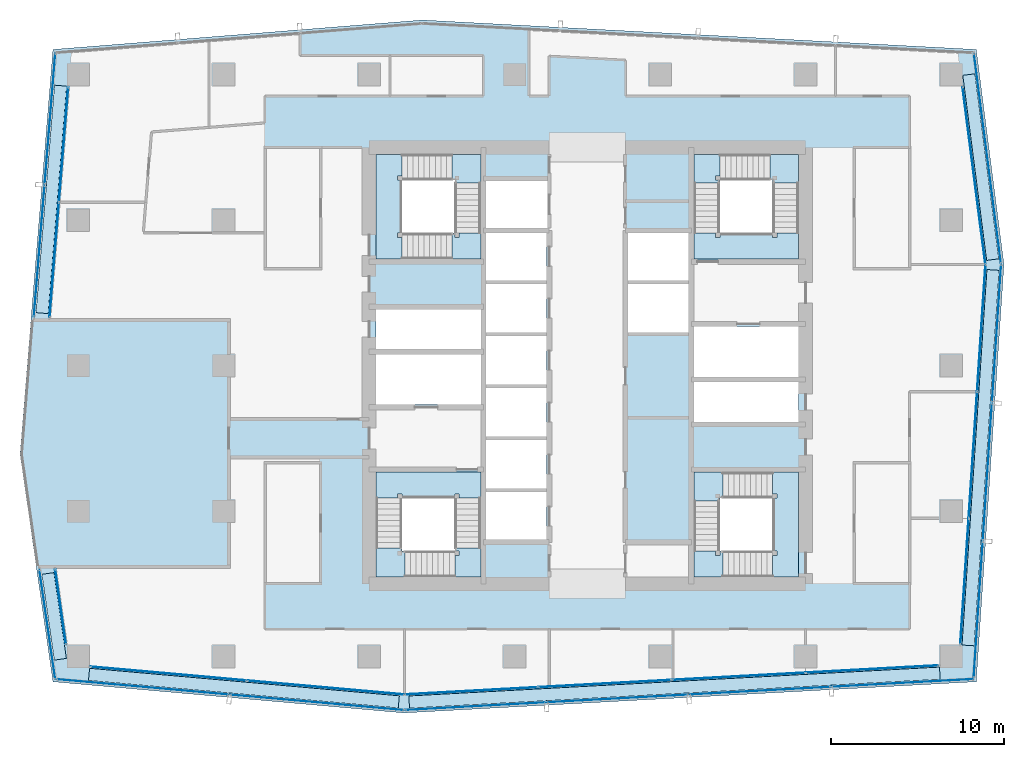
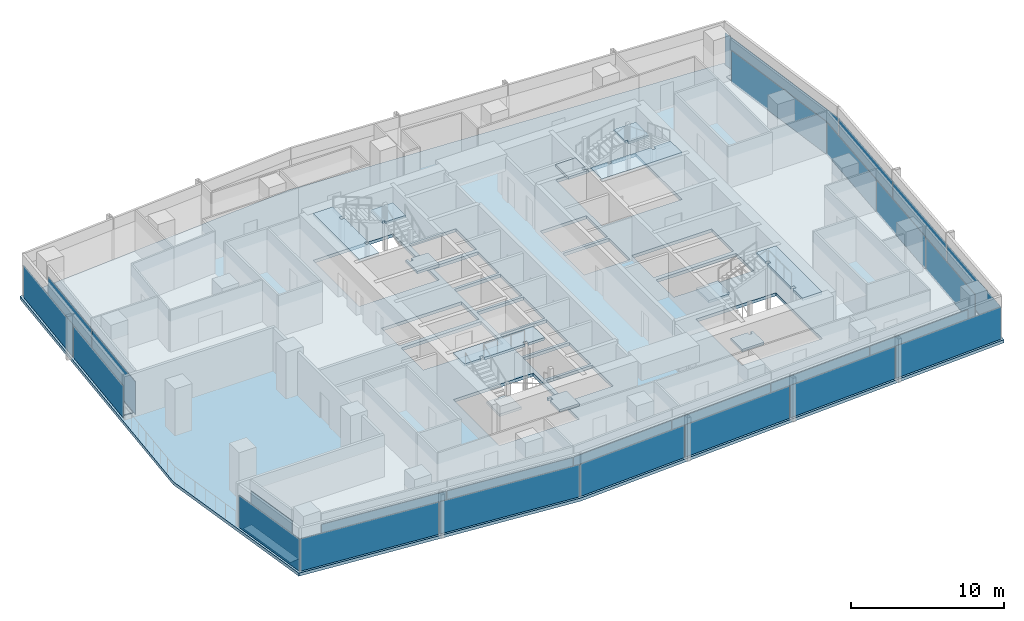
# One storey, part 19 of 28: 32 plates, 13 slabs, 16 elements without a shape of their own.
"""IFC4 building model written with IfcOpenShell, lengths in metres."""

from ifc_helpers import new_model, si_unit, direction, frame, origin, origin_2d, place, context, subcontext, project, spatial, polyline, rectangle, outline, extrude, material, layer, layer_set, type_object, element, aggregate, save


model = new_model("IFC4")

# Units and contexts
model_context = context("Model", 3, precision=1e-05, world=origin(), true_north=direction((0.0, 1.0)))
body_context = subcontext(model_context, "Body", "Model", "MODEL_VIEW")
ifc_project = project(units=[si_unit("LENGTHUNIT", "METRE"), si_unit("AREAUNIT", "SQUARE_METRE"), si_unit("VOLUMEUNIT", "CUBIC_METRE"), si_unit("PLANEANGLEUNIT", "RADIAN"), si_unit("MASSUNIT", "GRAM", prefix="KILO")], contexts=[model_context])

# Site, building, storey
site_placement = place(None, origin())
site = spatial("IfcSite", under=ifc_project, at=site_placement, CompositionType="ELEMENT")
building_placement = place(site_placement, origin())
building = spatial("IfcBuilding", under=site, at=building_placement, Name="Rekha Terrace Tower", CompositionType="ELEMENT")
storey_placement = place(building_placement, frame((0.0, 0.0, 268.85009765625)))
storey = spatial("IfcBuildingStorey", under=building, at=storey_placement, Name="L68", CompositionType="ELEMENT", Elevation=268.85009765625)

# Curtain wall, plates
ifc_material_1 = material(Name="Aluminium framing", Category="aluminium")
curtain_wall_type_1 = type_object("IfcCurtainWallType", Name="CW1 double skin inner glazing", PredefinedType="USERDEFINED", material=ifc_material_1)
curtain_wall_1_placement = place(storey_placement, origin())
curtain_wall_1 = element("IfcCurtainWall", 1, at=curtain_wall_1_placement, inside=storey, type_object=curtain_wall_type_1, Name="CW1 double skin inner glazing", ObjectType="DOUBLE SKIN INNER GLAZING", PredefinedType="USERDEFINED")
ifc_material_2 = material(Name="Double-glazed low-e unit 32", Category="glass")
ifc_layer_1 = layer(ifc_material_2, 0.031982421875)
ifc_layer_set_1 = layer_set([ifc_layer_1], Name="Double-glazed low-e unit 32")
plate_type_1 = type_object("IfcPlateType", Name="CW1 jumbo vision panel, double-glazed low-e unit 32", PredefinedType="CURTAIN_PANEL", material=ifc_layer_set_1)
plate_1_placement = place(storey_placement, frame((13.62939453125, 15.820556640625, -0.000244140625), z_axis=(0.0, 0.0, 1.0), x_axis=(0.996074182663, -0.088522441405, 0.0)))
plate_1 = element("IfcPlate", 2, at=plate_1_placement, type_object=plate_type_1, Name="CW1 panel 1.1", PredefinedType="CURTAIN_PANEL", context=body_context, shape_type="SweptSolid", body=[
    extrude(rectangle(XDim=9.010986328125, YDim=0.031982421875, at=origin_2d()), origin(), (0.0, 0.0, 1.0), 2.60009765625),
])
plate_2_placement = place(storey_placement, frame((22.701904296875, 15.01416015625, -0.000244140625), z_axis=(0.0, 0.0, 1.0), x_axis=(0.996074182663, -0.088522441405, 0.0)))
plate_2 = element("IfcPlate", 3, at=plate_2_placement, type_object=plate_type_1, Name="CW1 panel 2.1", PredefinedType="CURTAIN_PANEL", context=body_context, shape_type="SweptSolid", body=[
    extrude(rectangle(XDim=9.075927734375, YDim=0.031982421875, at=origin_2d()), origin(), (0.0, 0.0, 1.0), 2.60009765625),
])
aggregate(curtain_wall_1, [plate_1, plate_2])

curtain_wall_2_placement = place(storey_placement, origin())
curtain_wall_2 = element("IfcCurtainWall", 4, at=curtain_wall_2_placement, inside=storey, type_object=curtain_wall_type_1, Name="CW1 double skin inner glazing", ObjectType="DOUBLE SKIN INNER GLAZING", PredefinedType="USERDEFINED")
plate_3_placement = place(storey_placement, frame((31.101318359375, 14.82373046875, -0.000244140625), z_axis=(0.0, 0.0, 1.0), x_axis=(0.998519828159, 0.054388903036, 0.0)))
plate_3 = element("IfcPlate", 5, at=plate_3_placement, type_object=plate_type_1, Name="CW1 panel 1.1", PredefinedType="CURTAIN_PANEL", context=body_context, shape_type="SweptSolid", body=[
    extrude(rectangle(XDim=7.6396484375, YDim=0.031982421875, at=origin_2d()), origin(), (0.0, 0.0, 1.0), 2.60009765625),
])
plate_4_placement = place(storey_placement, frame((38.810791015625, 15.243896484375, -0.000244140625), z_axis=(0.0, 0.0, 1.0), x_axis=(0.998519828159, 0.054388903036, 0.0)))
plate_4 = element("IfcPlate", 6, at=plate_4_placement, type_object=plate_type_1, Name="CW1 panel 2.1", PredefinedType="CURTAIN_PANEL", context=body_context, shape_type="SweptSolid", body=[
    extrude(rectangle(XDim=7.672119140625, YDim=0.031982421875, at=origin_2d()), origin(), (0.0, 0.0, 1.0), 2.60009765625),
])
plate_5_placement = place(storey_placement, frame((46.536376953125, 15.66455078125, -0.000244140625), z_axis=(0.0, 0.0, 1.0), x_axis=(0.998519828159, 0.054388903036, 0.0)))
plate_5 = element("IfcPlate", 7, at=plate_5_placement, type_object=plate_type_1, Name="CW1 panel 3.1", PredefinedType="CURTAIN_PANEL", context=body_context, shape_type="SweptSolid", body=[
    extrude(rectangle(XDim=7.672119140625, YDim=0.031982421875, at=origin_2d()), origin(), (0.0, 0.0, 1.0), 2.60009765625),
])
plate_6_placement = place(storey_placement, frame((54.245849609375, 16.08447265625, -0.000244140625), z_axis=(0.0, 0.0, 1.0), x_axis=(0.998519828159, 0.054388903036, 0.0)))
plate_6 = element("IfcPlate", 8, at=plate_6_placement, type_object=plate_type_1, Name="CW1 panel 4.1", PredefinedType="CURTAIN_PANEL", context=body_context, shape_type="SweptSolid", body=[
    extrude(rectangle(XDim=7.6396484375, YDim=0.031982421875, at=origin_2d()), origin(), (0.0, 0.0, 1.0), 2.60009765625),
])
aggregate(curtain_wall_2, [plate_3, plate_4, plate_5, plate_6])

curtain_wall_3_placement = place(storey_placement, origin())
curtain_wall_3 = element("IfcCurtainWall", 9, at=curtain_wall_3_placement, inside=storey, type_object=curtain_wall_type_1, Name="CW1 double skin inner glazing", ObjectType="DOUBLE SKIN INNER GLAZING", PredefinedType="USERDEFINED")
plate_7_placement = place(storey_placement, frame((59.57275390625, 21.147705078125, -0.000244140625), z_axis=(0.0, 0.0, 1.0), x_axis=(0.066271589649, 0.997801621769, 0.0)))
plate_7 = element("IfcPlate", 10, at=plate_7_placement, type_object=plate_type_1, Name="CW1 panel 1.1", PredefinedType="CURTAIN_PANEL", context=body_context, shape_type="SweptSolid", body=[
    extrude(rectangle(XDim=7.228759765625, YDim=0.031982421875, at=origin_2d()), origin(), (0.0, 0.0, 1.0), 2.60009765625),
])
plate_8_placement = place(storey_placement, frame((60.05712890625, 28.441650390625, -0.000244140625), z_axis=(0.0, 0.0, 1.0), x_axis=(0.066271589649, 0.997801621769, 0.0)))
plate_8 = element("IfcPlate", 11, at=plate_8_placement, type_object=plate_type_1, Name="CW1 panel 2.1", PredefinedType="CURTAIN_PANEL", context=body_context, shape_type="SweptSolid", body=[
    extrude(rectangle(XDim=7.261474609375, YDim=0.031982421875, at=origin_2d()), origin(), (0.0, 0.0, 1.0), 2.60009765625),
])
plate_9_placement = place(storey_placement, frame((60.543701171875, 35.76806640625, -0.000244140625), z_axis=(0.0, 0.0, 1.0), x_axis=(0.066271589649, 0.997801621769, 0.0)))
plate_9 = element("IfcPlate", 12, at=plate_9_placement, type_object=plate_type_1, Name="CW1 panel 3.1", PredefinedType="CURTAIN_PANEL", context=body_context, shape_type="SweptSolid", body=[
    extrude(rectangle(XDim=7.2939453125, YDim=0.031982421875, at=origin_2d()), origin(), (0.0, 0.0, 1.0), 2.60009765625),
])
aggregate(curtain_wall_3, [plate_7, plate_8, plate_9])

# Curtain wall, plate
curtain_wall_4_placement = place(storey_placement, origin())
curtain_wall_4 = element("IfcCurtainWall", 13, at=curtain_wall_4_placement, inside=storey, type_object=curtain_wall_type_1, Name="CW1 double skin inner glazing", ObjectType="DOUBLE SKIN INNER GLAZING", PredefinedType="USERDEFINED")
plate_10_placement = place(storey_placement, frame((60.119873046875, 44.56884765625, -0.000244140625), z_axis=(0.0, 0.0, 1.0), x_axis=(-0.127869904766, 0.991790949472, 0.0)))
plate_10 = element("IfcPlate", 14, at=plate_10_placement, type_object=plate_type_1, Name="CW1 panel 1.1", PredefinedType="CURTAIN_PANEL", context=body_context, shape_type="SweptSolid", body=[
    extrude(rectangle(XDim=10.27880859375, YDim=0.031982421875, at=origin_2d()), origin(), (0.0, 0.0, 1.0), 2.60009765625),
])
aggregate(curtain_wall_4, [plate_10])

# Curtain wall, plates
curtain_wall_5_placement = place(storey_placement, origin())
curtain_wall_5 = element("IfcCurtainWall", 15, at=curtain_wall_5_placement, inside=storey, type_object=curtain_wall_type_1, Name="CW1 double skin inner glazing", ObjectType="DOUBLE SKIN INNER GLAZING", PredefinedType="USERDEFINED")
plate_11_placement = place(storey_placement, frame((7.56689453125, 46.358154296875, -0.000244140625), z_axis=(0.0, 0.0, 1.0), x_axis=(-0.081067906781, -0.996708580524, 0.0)))
plate_11 = element("IfcPlate", 16, at=plate_11_placement, type_object=plate_type_1, Name="CW1 panel 1.1", PredefinedType="CURTAIN_PANEL", context=body_context, shape_type="SweptSolid", body=[
    extrude(rectangle(XDim=6.620849609375, YDim=0.031982421875, at=origin_2d()), origin(), (0.0, 0.0, 1.0), 2.60009765625),
])
plate_12_placement = place(storey_placement, frame((7.02490234375, 39.6943359375, -0.000244140625), z_axis=(0.0, 0.0, 1.0), x_axis=(-0.081067906781, -0.996708580524, 0.0)))
plate_12 = element("IfcPlate", 17, at=plate_12_placement, type_object=plate_type_1, Name="CW1 panel 2.1", PredefinedType="CURTAIN_PANEL", context=body_context, shape_type="SweptSolid", body=[
    extrude(rectangle(XDim=6.620849609375, YDim=0.031982421875, at=origin_2d()), origin(), (0.0, 0.0, 1.0), 2.60009765625),
])
aggregate(curtain_wall_5, [plate_11, plate_12])

# Curtain wall, plate
curtain_wall_6_placement = place(storey_placement, origin())
curtain_wall_6 = element("IfcCurtainWall", 18, at=curtain_wall_6_placement, inside=storey, type_object=curtain_wall_type_1, Name="CW1 double skin inner glazing", ObjectType="DOUBLE SKIN INNER GLAZING", PredefinedType="USERDEFINED")
plate_13_placement = place(storey_placement, frame((7.394775390625, 19.68115234375, -0.000244140625), z_axis=(0.0, 0.0, 1.0), x_axis=(0.143108322609, -0.989707031399, 0.0)))
plate_13 = element("IfcPlate", 19, at=plate_13_placement, type_object=plate_type_1, Name="CW1 panel 1.1", PredefinedType="CURTAIN_PANEL", context=body_context, shape_type="SweptSolid", body=[
    extrude(rectangle(XDim=4.347900390625, YDim=0.031982421875, at=origin_2d()), origin(), (0.0, 0.0, 1.0), 2.60009765625),
])
aggregate(curtain_wall_6, [plate_13])

# Curtain wall, plates
curtain_wall_type_2 = type_object("IfcCurtainWallType", Name="CW2 double skin outer glazing", PredefinedType="USERDEFINED", material=ifc_material_1)
curtain_wall_7_placement = place(storey_placement, origin())
curtain_wall_7 = element("IfcCurtainWall", 20, at=curtain_wall_7_placement, inside=storey, type_object=curtain_wall_type_2, Name="CW2 double skin outer glazing", ObjectType="DOUBLE SKIN OUTER GLAZING", PredefinedType="USERDEFINED")
ifc_material_3 = material(Name="Toughened single glazing 12", Category="glass")
ifc_layer_2 = layer(ifc_material_3, 0.011962890625)
ifc_layer_set_2 = layer_set([ifc_layer_2], Name="Toughened single glazing 12")
plate_type_2 = type_object("IfcPlateType", Name="CW2 jumbo vision panel, toughened single glazing 12", PredefinedType="CURTAIN_PANEL", material=ifc_layer_set_2)
plate_14_placement = place(storey_placement, frame((12.139404296875, 15.049560546875, -0.000244140625), z_axis=(0.0, 0.0, 1.0), x_axis=(0.996074182658, -0.088522441457, 0.0)))
plate_14 = element("IfcPlate", 21, at=plate_14_placement, type_object=plate_type_2, Name="CW2 panel 1.1", PredefinedType="CURTAIN_PANEL", context=body_context, shape_type="SweptSolid", body=[
    extrude(rectangle(XDim=9.977783203125, YDim=0.011962890625, at=origin_2d()), origin(), (0.0, 0.0, 1.0), 2.60009765625),
])
plate_15_placement = place(storey_placement, frame((22.197509765625, 14.155517578125, -0.000244140625), z_axis=(0.0, 0.0, 1.0), x_axis=(0.996074182658, -0.088522441457, 0.0)))
plate_15 = element("IfcPlate", 22, at=plate_15_placement, type_object=plate_type_2, Name="CW2 panel 2.1", PredefinedType="CURTAIN_PANEL", context=body_context, shape_type="SweptSolid", body=[
    extrude(rectangle(XDim=10.057861328125, YDim=0.011962890625, at=origin_2d()), origin(), (0.0, 0.0, 1.0), 2.60009765625),
])
aggregate(curtain_wall_7, [plate_14, plate_15])

curtain_wall_8_placement = place(storey_placement, origin())
curtain_wall_8 = element("IfcCurtainWall", 23, at=curtain_wall_8_placement, inside=storey, type_object=curtain_wall_type_2, Name="CW2 double skin outer glazing", ObjectType="DOUBLE SKIN OUTER GLAZING", PredefinedType="USERDEFINED")
plate_16_placement = place(storey_placement, frame((31.33837890625, 13.935546875, -0.000244140625), z_axis=(0.0, 0.0, 1.0), x_axis=(0.998519828157, 0.054388903071, 0.0)))
plate_16 = element("IfcPlate", 24, at=plate_16_placement, type_object=plate_type_2, Name="CW2 panel 1.1", PredefinedType="CURTAIN_PANEL", context=body_context, shape_type="SweptSolid", body=[
    extrude(rectangle(XDim=8.115478515625, YDim=0.011962890625, at=origin_2d()), origin(), (0.0, 0.0, 1.0), 2.60009765625),
])
plate_17_placement = place(storey_placement, frame((39.54150390625, 14.38232421875, -0.000244140625), z_axis=(0.0, 0.0, 1.0), x_axis=(0.998519828157, 0.054388903071, 0.0)))
plate_17 = element("IfcPlate", 25, at=plate_17_placement, type_object=plate_type_2, Name="CW2 panel 2.1", PredefinedType="CURTAIN_PANEL", context=body_context, shape_type="SweptSolid", body=[
    extrude(rectangle(XDim=8.155517578125, YDim=0.011962890625, at=origin_2d()), origin(), (0.0, 0.0, 1.0), 2.60009765625),
])
plate_18_placement = place(storey_placement, frame((47.764892578125, 14.830078125, -0.000244140625), z_axis=(0.0, 0.0, 1.0), x_axis=(0.998519828157, 0.054388903071, 0.0)))
plate_18 = element("IfcPlate", 26, at=plate_18_placement, type_object=plate_type_2, Name="CW2 panel 3.1", PredefinedType="CURTAIN_PANEL", context=body_context, shape_type="SweptSolid", body=[
    extrude(rectangle(XDim=8.155517578125, YDim=0.011962890625, at=origin_2d()), origin(), (0.0, 0.0, 1.0), 2.60009765625),
])
plate_19_placement = place(storey_placement, frame((56.008056640625, 15.279296875, -0.000244140625), z_axis=(0.0, 0.0, 1.0), x_axis=(0.998519828157, 0.054388903071, 0.0)))
plate_19 = element("IfcPlate", 27, at=plate_19_placement, type_object=plate_type_2, Name="CW2 panel 4.1", PredefinedType="CURTAIN_PANEL", context=body_context, shape_type="SweptSolid", body=[
    extrude(rectangle(XDim=8.195556640625, YDim=0.011962890625, at=origin_2d()), origin(), (0.0, 0.0, 1.0), 2.60009765625),
])
aggregate(curtain_wall_8, [plate_16, plate_17, plate_18, plate_19])

curtain_wall_9_placement = place(storey_placement, origin())
curtain_wall_9 = element("IfcCurtainWall", 28, at=curtain_wall_9_placement, inside=storey, type_object=curtain_wall_type_2, Name="CW2 double skin outer glazing", ObjectType="DOUBLE SKIN OUTER GLAZING", PredefinedType="USERDEFINED")
plate_20_placement = place(storey_placement, frame((60.365966796875, 19.5107421875, -0.000244140625), z_axis=(0.0, 0.0, 1.0), x_axis=(0.066271589649, 0.997801621769, 0.0)))
plate_20 = element("IfcPlate", 29, at=plate_20_placement, type_object=plate_type_2, Name="CW2 panel 1.1", PredefinedType="CURTAIN_PANEL", context=body_context, shape_type="SweptSolid", body=[
    extrude(rectangle(XDim=7.875244140625, YDim=0.011962890625, at=origin_2d()), origin(), (0.0, 0.0, 1.0), 2.60009765625),
])
plate_21_placement = place(storey_placement, frame((60.89453125, 27.468505859375, -0.000244140625), z_axis=(0.0, 0.0, 1.0), x_axis=(0.066271589649, 0.997801621769, 0.0)))
plate_21 = element("IfcPlate", 30, at=plate_21_placement, type_object=plate_type_2, Name="CW2 panel 2.1", PredefinedType="CURTAIN_PANEL", context=body_context, shape_type="SweptSolid", body=[
    extrude(rectangle(XDim=7.915283203125, YDim=0.011962890625, at=origin_2d()), origin(), (0.0, 0.0, 1.0), 2.60009765625),
])
plate_22_placement = place(storey_placement, frame((61.42578125, 35.466064453125, -0.000244140625), z_axis=(0.0, 0.0, 1.0), x_axis=(0.066271589649, 0.997801621769, 0.0)))
plate_22 = element("IfcPlate", 31, at=plate_22_placement, type_object=plate_type_2, Name="CW2 panel 3.1", PredefinedType="CURTAIN_PANEL", context=body_context, shape_type="SweptSolid", body=[
    extrude(rectangle(XDim=7.955322265625, YDim=0.011962890625, at=origin_2d()), origin(), (0.0, 0.0, 1.0), 2.60009765625),
])
aggregate(curtain_wall_9, [plate_20, plate_21, plate_22])

# Curtain wall, plate
curtain_wall_10_placement = place(storey_placement, origin())
curtain_wall_10 = element("IfcCurtainWall", 32, at=curtain_wall_10_placement, inside=storey, type_object=curtain_wall_type_2, Name="CW2 double skin outer glazing", ObjectType="DOUBLE SKIN OUTER GLAZING", PredefinedType="USERDEFINED")
plate_23_placement = place(storey_placement, frame((60.89892578125, 45.566162109375, -0.000244140625), z_axis=(0.0, 0.0, 1.0), x_axis=(-0.12786990487, 0.991790949459, 0.0)))
plate_23 = element("IfcPlate", 33, at=plate_23_placement, type_object=plate_type_2, Name="CW2 panel 1.1", PredefinedType="CURTAIN_PANEL", context=body_context, shape_type="SweptSolid", body=[
    extrude(rectangle(XDim=12.203857421875, YDim=0.011962890625, at=origin_2d()), origin(), (0.0, 0.0, 1.0), 2.60009765625),
])
aggregate(curtain_wall_10, [plate_23])

# Curtain wall, plates
curtain_wall_11_placement = place(storey_placement, origin())
curtain_wall_11 = element("IfcCurtainWall", 34, at=curtain_wall_11_placement, inside=storey, type_object=curtain_wall_type_2, Name="CW2 double skin outer glazing", ObjectType="DOUBLE SKIN OUTER GLAZING", PredefinedType="USERDEFINED")
plate_24_placement = place(storey_placement, frame((6.7841796875, 47.838623046875, -0.000244140625), z_axis=(0.0, 0.0, 1.0), x_axis=(-0.081067906798, -0.996708580523, 0.0)))
plate_24 = element("IfcPlate", 35, at=plate_24_placement, type_object=plate_type_2, Name="CW2 panel 1.1", PredefinedType="CURTAIN_PANEL", context=body_context, shape_type="SweptSolid", body=[
    extrude(rectangle(XDim=7.591064453125, YDim=0.011962890625, at=origin_2d()), origin(), (0.0, 0.0, 1.0), 2.60009765625),
])
plate_25_placement = place(storey_placement, frame((6.162353515625, 40.19287109375, -0.000244140625), z_axis=(0.0, 0.0, 1.0), x_axis=(-0.081067906798, -0.996708580523, 0.0)))
plate_25 = element("IfcPlate", 36, at=plate_25_placement, type_object=plate_type_2, Name="CW2 panel 2.1", PredefinedType="CURTAIN_PANEL", context=body_context, shape_type="SweptSolid", body=[
    extrude(rectangle(XDim=7.591064453125, YDim=0.011962890625, at=origin_2d()), origin(), (0.0, 0.0, 1.0), 2.60009765625),
])
aggregate(curtain_wall_11, [plate_24, plate_25])

# Curtain wall, plate
curtain_wall_12_placement = place(storey_placement, origin())
curtain_wall_12 = element("IfcCurtainWall", 37, at=curtain_wall_12_placement, inside=storey, type_object=curtain_wall_type_2, Name="CW2 double skin outer glazing", ObjectType="DOUBLE SKIN OUTER GLAZING", PredefinedType="USERDEFINED")
plate_26_placement = place(storey_placement, frame((6.63330078125, 18.657958984375, -0.000244140625), z_axis=(0.0, 0.0, 1.0), x_axis=(0.14310832273, -0.989707031381, 0.0)))
plate_26 = element("IfcPlate", 38, at=plate_26_placement, type_object=plate_type_2, Name="CW2 panel 1.1", PredefinedType="CURTAIN_PANEL", context=body_context, shape_type="SweptSolid", body=[
    extrude(rectangle(XDim=6.385498046875, YDim=0.011962890625, at=origin_2d()), origin(), (0.0, 0.0, 1.0), 2.60009765625),
])
aggregate(curtain_wall_12, [plate_26])

# Plates
ifc_material_4 = material(Name="Galvanised steel open grating", Category="steel")
ifc_layer_3 = layer(ifc_material_4, 0.050048828125)
ifc_layer_set_3 = layer_set([ifc_layer_3], Name="Galvanised steel open grating")
plate_type_3 = type_object("IfcPlateType", Name="GT1 cavity walkway grating 50", PredefinedType="USERDEFINED", material=ifc_layer_set_3)
plate_27_placement = place(storey_placement, frame((17.974853515625, 14.982666015625, 0.0), z_axis=(0.0, 0.0, 1.0), x_axis=(0.99607418266, -0.08852244144, 0.0)))
element("IfcPlate", 39, at=plate_27_placement, inside=storey, type_object=plate_type_3, Name="Cavity walkway grating", ObjectType="CAVITY WALKWAY GRATING", PredefinedType="USERDEFINED", context=body_context, shape_type="SweptSolid", body=[
    extrude(rectangle(XDim=17.9521484375, YDim=0.705078125, at=origin_2d()), origin(), (0.0, 0.0, 1.0), 0.050048828125),
])
plate_28_placement = place(storey_placement, frame((42.830322265625, 15.011962890625, 0.0), z_axis=(0.0, 0.0, 1.0), x_axis=(0.998519828157, 0.054388903071, 0.0)))
element("IfcPlate", 40, at=plate_28_placement, inside=storey, type_object=plate_type_3, Name="Cavity walkway grating", ObjectType="CAVITY WALKWAY GRATING", PredefinedType="USERDEFINED", context=body_context, shape_type="SweptSolid", body=[
    extrude(rectangle(XDim=30.677978515625, YDim=0.705078125, at=origin_2d()), origin(), (0.0, 0.0, 1.0), 0.050048828125),
])
plate_29_placement = place(storey_placement, frame((60.497802734375, 28.284912109375, 0.0), z_axis=(0.0, 0.0, 1.0), x_axis=(0.066271589649, 0.997801621769, 0.0)))
element("IfcPlate", 41, at=plate_29_placement, inside=storey, type_object=plate_type_3, Name="Cavity walkway grating", ObjectType="CAVITY WALKWAY GRATING", PredefinedType="USERDEFINED", context=body_context, shape_type="SweptSolid", body=[
    extrude(rectangle(XDim=21.72119140625, YDim=0.705078125, at=origin_2d()), origin(), (0.0, 0.0, 1.0), 0.050048828125),
])
plate_30_placement = place(storey_placement, frame((60.510498046875, 45.058837890625, 0.0), z_axis=(0.0, 0.0, 1.0), x_axis=(-0.127869904852, 0.991790949461, 0.0)))
element("IfcPlate", 42, at=plate_30_placement, inside=storey, type_object=plate_type_3, Name="Cavity walkway grating", ObjectType="CAVITY WALKWAY GRATING", PredefinedType="USERDEFINED", context=body_context, shape_type="SweptSolid", body=[
    extrude(rectangle(XDim=10.76904296875, YDim=0.705078125, at=origin_2d()), origin(), (0.0, 0.0, 1.0), 0.050048828125),
])
plate_31_placement = place(storey_placement, frame((6.85791015625, 43.194091796875, 0.0), z_axis=(0.0, 0.0, 1.0), x_axis=(-0.081067906798, -0.996708580523, 0.0)))
element("IfcPlate", 43, at=plate_31_placement, inside=storey, type_object=plate_type_3, Name="Cavity walkway grating", ObjectType="CAVITY WALKWAY GRATING", PredefinedType="USERDEFINED", context=body_context, shape_type="SweptSolid", body=[
    extrude(rectangle(XDim=13.17333984375, YDim=0.705078125, at=origin_2d()), origin(), (0.0, 0.0, 1.0), 0.050048828125),
])
plate_32_placement = place(storey_placement, frame((7.0205078125, 19.124755859375, 0.0), z_axis=(0.0, 0.0, 1.0), x_axis=(0.143108322643, -0.989707031394, 0.0)))
element("IfcPlate", 44, at=plate_32_placement, inside=storey, type_object=plate_type_3, Name="Cavity walkway grating", ObjectType="CAVITY WALKWAY GRATING", PredefinedType="USERDEFINED", context=body_context, shape_type="SweptSolid", body=[
    extrude(rectangle(XDim=5.002197265625, YDim=0.705078125, at=origin_2d()), origin(), (0.0, 0.0, 1.0), 0.050048828125),
])

# Stair, slabs
ifc_material_5 = material(Name="Concrete M40", Category="concrete")
stair_type = type_object("IfcStairType", Name="ST30 stair, 30 risers of 125, going 320, 1500 wide flights, 3 flights", PredefinedType="HALF_TURN_STAIR", material=ifc_material_5)
stair_1_placement = place(storey_placement, origin())
stair_1 = element("IfcStair", 45, at=stair_1_placement, inside=storey, type_object=stair_type, Name="Stair ST1 L68 to L69", PredefinedType="HALF_TURN_STAIR")
ifc_layer_4 = layer(ifc_material_5, 0.199951171875)
ifc_layer_set_4 = layer_set([ifc_layer_4], Name="Concrete M40")
slab_type_1 = type_object("IfcSlabType", Name="LD1 200 concrete stair landing", PredefinedType="LANDING", material=ifc_layer_set_4)
slab_1_placement = place(storey_placement, frame((0.0, 0.0, 1.0498046875)))
slab_1 = element("IfcSlab", 46, at=slab_1_placement, type_object=slab_type_1, Name="ST1 landing 1", PredefinedType="LANDING", context=body_context, shape_type="SweptSolid", body=[
    extrude(outline(polyline([(30.14990234375, 21.39990234375), (31.64990234375, 21.39990234375), (31.64990234375, 23.070068359375), (30.14990234375, 23.070068359375), (30.14990234375, 22.89990234375), (30.39990234375, 22.89990234375), (30.39990234375, 22.64990234375), (30.14990234375, 22.64990234375), (30.14990234375, 21.39990234375)])), origin(), (0.0, 0.0, 1.0), 0.2001953125),
])
slab_2_placement = place(storey_placement, frame((0.0, 0.0, 2.2998046875)))
slab_2 = element("IfcSlab", 47, at=slab_2_placement, type_object=slab_type_1, Name="ST1 landing 2", PredefinedType="LANDING", context=body_context, shape_type="SweptSolid", body=[
    extrude(outline(polyline([(27.10009765625, 23.070068359375), (25.60009765625, 23.070068359375), (25.60009765625, 21.39990234375), (27.27001953125, 21.39990234375), (27.27001953125, 22.89990234375), (27.10009765625, 22.89990234375), (27.10009765625, 23.070068359375)])), origin(), (0.0, 0.0, 1.0), 0.2001953125),
])
slab_3_placement = place(storey_placement, frame((0.0, 0.0, 3.5498046875)))
slab_3 = element("IfcSlab", 48, at=slab_3_placement, type_object=slab_type_1, Name="ST1 landing 3", PredefinedType="LANDING", context=body_context, shape_type="SweptSolid", body=[
    extrude(outline(polyline([(31.64990234375, 25.949951171875), (31.64990234375, 27.449951171875), (25.60009765625, 27.449951171875), (25.60009765625, 25.949951171875), (26.85009765625, 25.949951171875), (26.85009765625, 26.199951171875), (27.10009765625, 26.199951171875), (27.10009765625, 25.949951171875), (30.14990234375, 25.949951171875), (30.14990234375, 26.199951171875), (30.39990234375, 26.199951171875), (30.39990234375, 25.949951171875), (31.64990234375, 25.949951171875)])), origin(), (0.0, 0.0, 1.0), 0.2001953125),
])
aggregate(stair_1, [slab_1, slab_2, slab_3])

stair_2_placement = place(storey_placement, origin())
stair_2 = element("IfcStair", 49, at=stair_2_placement, inside=storey, type_object=stair_type, Name="Stair ST2 L68 to L69", PredefinedType="HALF_TURN_STAIR")
slab_4_placement = place(storey_placement, frame((0.0, 0.0, 1.0498046875)))
slab_4 = element("IfcSlab", 50, at=slab_4_placement, type_object=slab_type_1, Name="ST2 landing 1", PredefinedType="LANDING", context=body_context, shape_type="SweptSolid", body=[
    extrude(outline(polyline([(45.449951171875, 45.800048828125), (43.949951171875, 45.800048828125), (43.949951171875, 44.1298828125), (45.449951171875, 44.1298828125), (45.449951171875, 44.300048828125), (45.199951171875, 44.300048828125), (45.199951171875, 44.550048828125), (45.449951171875, 44.550048828125), (45.449951171875, 45.800048828125)])), origin(), (0.0, 0.0, 1.0), 0.2001953125),
])
slab_5_placement = place(storey_placement, frame((0.0, 0.0, 2.2998046875)))
slab_5 = element("IfcSlab", 51, at=slab_5_placement, type_object=slab_type_1, Name="ST2 landing 2", PredefinedType="LANDING", context=body_context, shape_type="SweptSolid", body=[
    extrude(outline(polyline([(48.5, 44.1298828125), (50.0, 44.1298828125), (50.0, 45.800048828125), (48.330078125, 45.800048828125), (48.330078125, 44.300048828125), (48.5, 44.300048828125), (48.5, 44.1298828125)])), origin(), (0.0, 0.0, 1.0), 0.2001953125),
])
slab_6_placement = place(storey_placement, frame((0.0, 0.0, 3.5498046875)))
slab_6 = element("IfcSlab", 52, at=slab_6_placement, type_object=slab_type_1, Name="ST2 landing 3", PredefinedType="LANDING", context=body_context, shape_type="SweptSolid", body=[
    extrude(outline(polyline([(43.949951171875, 41.25), (43.949951171875, 39.75), (50.0, 39.75), (50.0, 41.25), (48.75, 41.25), (48.75, 41.0), (48.5, 41.0), (48.5, 41.25), (45.449951171875, 41.25), (45.449951171875, 41.0), (45.199951171875, 41.0), (45.199951171875, 41.25), (43.949951171875, 41.25)])), origin(), (0.0, 0.0, 1.0), 0.2001953125),
])
aggregate(stair_2, [slab_4, slab_5, slab_6])

stair_3_placement = place(storey_placement, origin())
stair_3 = element("IfcStair", 53, at=stair_3_placement, inside=storey, type_object=stair_type, Name="Stair ST3 L68 to L69", PredefinedType="HALF_TURN_STAIR")
slab_7_placement = place(storey_placement, frame((0.0, 0.0, 1.0498046875)))
slab_7 = element("IfcSlab", 54, at=slab_7_placement, type_object=slab_type_1, Name="ST3 landing 1", PredefinedType="LANDING", context=body_context, shape_type="SweptSolid", body=[
    extrude(outline(polyline([(43.949951171875, 22.89990234375), (43.949951171875, 21.39990234375), (45.6201171875, 21.39990234375), (45.6201171875, 22.89990234375), (45.449951171875, 22.89990234375), (45.449951171875, 22.64990234375), (45.199951171875, 22.64990234375), (45.199951171875, 22.89990234375), (43.949951171875, 22.89990234375)])), origin(), (0.0, 0.0, 1.0), 0.2001953125),
])
slab_8_placement = place(storey_placement, frame((0.0, 0.0, 2.2998046875)))
slab_8 = element("IfcSlab", 55, at=slab_8_placement, type_object=slab_type_1, Name="ST3 landing 2", PredefinedType="LANDING", context=body_context, shape_type="SweptSolid", body=[
    extrude(outline(polyline([(45.6201171875, 25.949951171875), (45.6201171875, 27.449951171875), (43.949951171875, 27.449951171875), (43.949951171875, 25.780029296875), (45.449951171875, 25.780029296875), (45.449951171875, 25.949951171875), (45.6201171875, 25.949951171875)])), origin(), (0.0, 0.0, 1.0), 0.2001953125),
])
slab_9_placement = place(storey_placement, frame((0.0, 0.0, 3.5498046875)))
slab_9 = element("IfcSlab", 56, at=slab_9_placement, type_object=slab_type_1, Name="ST3 landing 3", PredefinedType="LANDING", context=body_context, shape_type="SweptSolid", body=[
    extrude(outline(polyline([(48.5, 21.39990234375), (50.0, 21.39990234375), (50.0, 27.449951171875), (48.5, 27.449951171875), (48.5, 26.199951171875), (48.75, 26.199951171875), (48.75, 25.949951171875), (48.5, 25.949951171875), (48.5, 22.89990234375), (48.75, 22.89990234375), (48.75, 22.64990234375), (48.5, 22.64990234375), (48.5, 21.39990234375)])), origin(), (0.0, 0.0, 1.0), 0.2001953125),
])
aggregate(stair_3, [slab_7, slab_8, slab_9])

stair_4_placement = place(storey_placement, origin())
stair_4 = element("IfcStair", 57, at=stair_4_placement, inside=storey, type_object=stair_type, Name="Stair ST4 L68 to L69", PredefinedType="HALF_TURN_STAIR")
slab_10_placement = place(storey_placement, frame((0.0, 0.0, 1.0498046875)))
slab_10 = element("IfcSlab", 58, at=slab_10_placement, type_object=slab_type_1, Name="ST4 landing 1", PredefinedType="LANDING", context=body_context, shape_type="SweptSolid", body=[
    extrude(outline(polyline([(31.64990234375, 41.25), (31.64990234375, 39.75), (29.97998046875, 39.75), (29.97998046875, 41.25), (30.14990234375, 41.25), (30.14990234375, 41.0), (30.39990234375, 41.0), (30.39990234375, 41.25), (31.64990234375, 41.25)])), origin(), (0.0, 0.0, 1.0), 0.2001953125),
])
slab_11_placement = place(storey_placement, frame((0.0, 0.0, 2.2998046875)))
slab_11 = element("IfcSlab", 59, at=slab_11_placement, type_object=slab_type_1, Name="ST4 landing 2", PredefinedType="LANDING", context=body_context, shape_type="SweptSolid", body=[
    extrude(outline(polyline([(29.97998046875, 44.300048828125), (29.97998046875, 45.800048828125), (31.64990234375, 45.800048828125), (31.64990234375, 44.1298828125), (30.14990234375, 44.1298828125), (30.14990234375, 44.300048828125), (29.97998046875, 44.300048828125)])), origin(), (0.0, 0.0, 1.0), 0.2001953125),
])
slab_12_placement = place(storey_placement, frame((0.0, 0.0, 3.5498046875)))
slab_12 = element("IfcSlab", 60, at=slab_12_placement, type_object=slab_type_1, Name="ST4 landing 3", PredefinedType="LANDING", context=body_context, shape_type="SweptSolid", body=[
    extrude(outline(polyline([(27.10009765625, 39.75), (25.60009765625, 39.75), (25.60009765625, 45.800048828125), (27.10009765625, 45.800048828125), (27.10009765625, 44.550048828125), (26.85009765625, 44.550048828125), (26.85009765625, 44.300048828125), (27.10009765625, 44.300048828125), (27.10009765625, 41.25), (26.85009765625, 41.25), (26.85009765625, 41.0), (27.10009765625, 41.0), (27.10009765625, 39.75)])), origin(), (0.0, 0.0, 1.0), 0.2001953125),
])
aggregate(stair_4, [slab_10, slab_11, slab_12])

# Slab
ifc_material_6 = material(Name="Concrete M50", Category="concrete")
ifc_layer_5 = layer(ifc_material_6, 0.25)
ifc_layer_set_5 = layer_set([ifc_layer_5], Name="Concrete M50")
slab_type_2 = type_object("IfcSlabType", Name="SL4 250 post-tensioned flat plate", PredefinedType="FLOOR", material=ifc_layer_set_5)
slab_13_placement = place(storey_placement, frame((0.0, 0.0, -0.25)))
element("IfcSlab", 61, at=slab_13_placement, inside=storey, type_object=slab_type_2, Name="Post-tensioned flat plate L68", PredefinedType="FLOOR", context=body_context, shape_type="SweptSolid", body=[
    extrude(outline(polyline([(5.050048828125, 28.489990234375), (6.949951171875, 15.35009765625), (27.2041015625, 13.550048828125), (60.25, 15.35009765625), (61.85009765625, 39.43994140625), (60.25, 51.85009765625), (28.27001953125, 53.550048828125), (6.949951171875, 51.85009765625), (5.050048828125, 28.489990234375)]), holes=[polyline([(31.64990234375, 27.449951171875), (31.64990234375, 21.39990234375), (25.60009765625, 21.39990234375), (25.60009765625, 27.449951171875), (31.64990234375, 27.449951171875)]), polyline([(35.449951171875, 26.300048828125), (35.449951171875, 23.550048828125), (31.949951171875, 23.550048828125), (31.949951171875, 26.300048828125), (35.449951171875, 26.300048828125)]), polyline([(35.449951171875, 29.300048828125), (35.449951171875, 26.5), (31.949951171875, 26.5), (31.949951171875, 29.300048828125), (35.449951171875, 29.300048828125)]), polyline([(35.449951171875, 32.300048828125), (35.449951171875, 29.5), (31.949951171875, 29.5), (31.949951171875, 32.300048828125), (35.449951171875, 32.300048828125)]), polyline([(31.64990234375, 34.25), (31.64990234375, 31.35009765625), (25.60009765625, 31.35009765625), (25.60009765625, 34.25), (31.64990234375, 34.25)]), polyline([(35.449951171875, 35.300048828125), (35.449951171875, 32.5), (31.949951171875, 32.5), (31.949951171875, 35.300048828125), (35.449951171875, 35.300048828125)]), polyline([(31.64990234375, 36.85009765625), (31.64990234375, 34.550048828125), (25.60009765625, 34.550048828125), (25.60009765625, 36.85009765625), (31.64990234375, 36.85009765625)]), polyline([(35.449951171875, 38.300048828125), (35.449951171875, 35.5), (31.949951171875, 35.5), (31.949951171875, 38.300048828125), (35.449951171875, 38.300048828125)]), polyline([(31.64990234375, 45.800048828125), (31.64990234375, 39.75), (25.60009765625, 39.75), (25.60009765625, 45.800048828125), (31.64990234375, 45.800048828125)]), polyline([(50.0, 27.449951171875), (50.0, 21.39990234375), (43.949951171875, 21.39990234375), (43.949951171875, 27.449951171875), (50.0, 27.449951171875)]), polyline([(50.0, 32.64990234375), (50.0, 30.35009765625), (43.949951171875, 30.35009765625), (43.949951171875, 32.64990234375), (50.0, 32.64990234375)]), polyline([(50.0, 35.85009765625), (50.0, 32.949951171875), (43.949951171875, 32.949951171875), (43.949951171875, 35.85009765625), (50.0, 35.85009765625)]), polyline([(43.64990234375, 38.300048828125), (43.64990234375, 35.5), (40.14990234375, 35.5), (40.14990234375, 38.300048828125), (43.64990234375, 38.300048828125)]), polyline([(35.449951171875, 41.25), (35.449951171875, 38.5), (31.949951171875, 38.5), (31.949951171875, 41.25), (35.449951171875, 41.25)]), polyline([(43.64990234375, 41.25), (43.64990234375, 38.5), (40.14990234375, 38.5), (40.14990234375, 41.25), (43.64990234375, 41.25)]), polyline([(50.0, 39.75), (43.949951171875, 39.75), (43.949951171875, 45.800048828125), (50.0, 45.800048828125), (50.0, 39.75)]), polyline([(35.5, 41.550048828125), (31.949951171875, 41.550048828125), (31.949951171875, 44.25), (35.5, 44.25), (35.5, 41.550048828125)])]), origin(), (0.0, 0.0, 1.0), 0.25),
])

save(model, "model.ifc")
